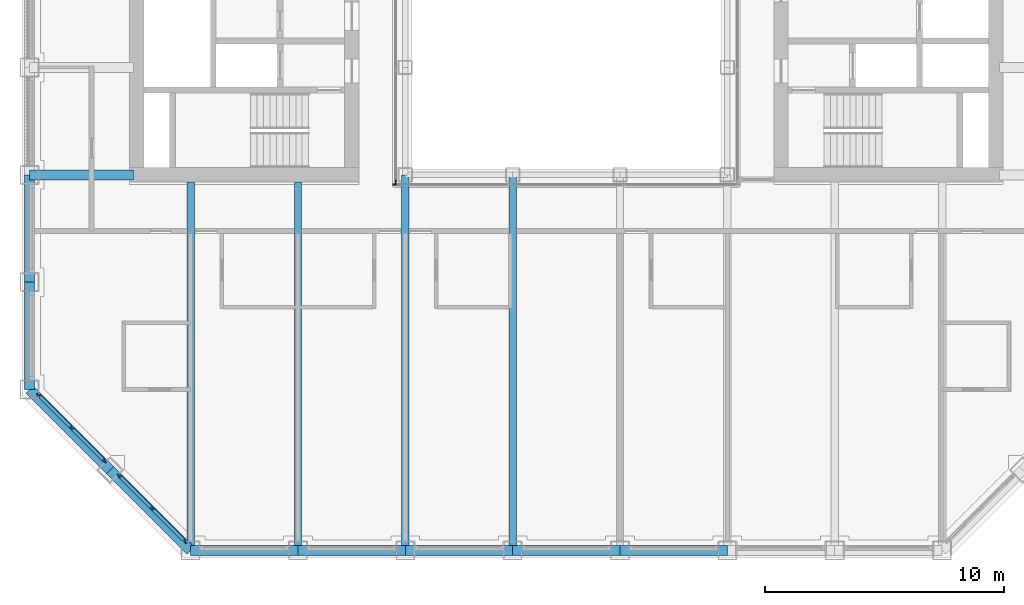
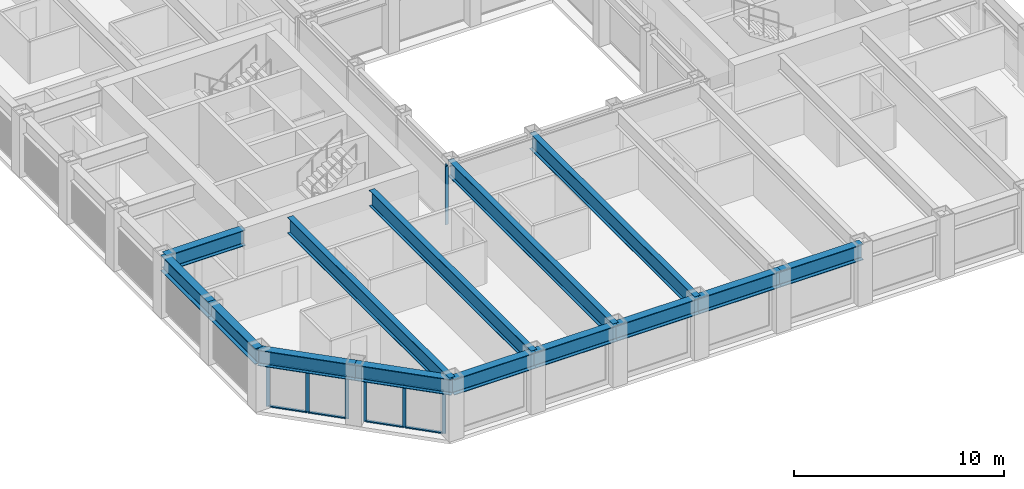
# One storey, part 2 of 17: 16 members, 14 beams, 4 elements without a shape of their own.
"""IFC4 building model written with IfcOpenShell, lengths in metres."""

from ifc_helpers import new_model, si_unit, direction, frame, origin, origin_2d, place, context, subcontext, project, spatial, rectangle, i_section, extrude, material, material_profile, profile_set, type_object, element, aggregate, save


model = new_model("IFC4")

# Units and contexts
model_context = context("Model", 3, precision=1e-05, world=origin(), true_north=direction((0.0, 1.0)))
body_context = subcontext(model_context, "Body", "Model", "MODEL_VIEW")
ifc_project = project(units=[si_unit("LENGTHUNIT", "METRE"), si_unit("AREAUNIT", "SQUARE_METRE"), si_unit("VOLUMEUNIT", "CUBIC_METRE"), si_unit("PLANEANGLEUNIT", "RADIAN"), si_unit("MASSUNIT", "GRAM", prefix="KILO")], contexts=[model_context])

# Site, building, storey
site_placement = place(None, origin())
site = spatial("IfcSite", under=ifc_project, at=site_placement, CompositionType="ELEMENT")
building_placement = place(site_placement, origin())
building = spatial("IfcBuilding", under=site, at=building_placement, Name="Msasa Ring Tower", CompositionType="ELEMENT")
storey_placement = place(building_placement, frame((0.0, 0.0, 140.0)))
storey = spatial("IfcBuildingStorey", under=building, at=storey_placement, Name="L36", CompositionType="ELEMENT", Elevation=140.0)

# Curtain wall, members
ifc_material_1 = material(Name="Aluminium curtain wall with clear glass", Category="aluminium")
curtain_wall_type_1 = type_object("IfcCurtainWallType", Name="CW-C CHAMFER CORNER CURTAIN WALL", PredefinedType="NOTDEFINED", material=ifc_material_1)
curtain_wall_1_placement = place(storey_placement, origin())
curtain_wall_1 = element("IfcCurtainWall", 1, at=curtain_wall_1_placement, inside=storey, type_object=curtain_wall_type_1, Name="Chamfer corner curtain wall SW L36", PredefinedType="NOTDEFINED")
ifc_material_2 = material(Name="Aluminium mullion", Category="aluminium")
ifc_material_profile_1 = material_profile(ifc_material_2, rectangle(XDim=0.06494140625, YDim=0.179931640625, at=origin_2d()), Name="AL 65x180")
ifc_profile_set_1 = profile_set([ifc_material_profile_1], Name="Aluminium mullion")
member_type_1 = type_object("IfcMemberType", Name="CW-C MULLION 65x180", PredefinedType="MULLION", material=ifc_profile_set_1)
member_1_placement = place(storey_placement, frame((-22.119873046875, -15.98876953125, 0.0), z_axis=(0.0, 0.0, 1.0), x_axis=(0.707106781187, 0.707106781187, 0.0)))
member_1 = element("IfcMember", 2, at=member_1_placement, type_object=member_type_1, Name="CW-C mullion 1", PredefinedType="MULLION", context=body_context, shape_type="SweptSolid", body=[
    extrude(rectangle(XDim=0.06494140625, YDim=0.179931640625, at=origin_2d()), origin(), (0.0, 0.0, 1.0), 2.47900390625),
])
member_2_placement = place(storey_placement, frame((-20.74169921875, -17.36669921875, 0.0), z_axis=(0.0, 0.0, 1.0), x_axis=(0.707106781187, 0.707106781187, 0.0)))
member_2 = element("IfcMember", 3, at=member_2_placement, type_object=member_type_1, Name="CW-C mullion 2", PredefinedType="MULLION", context=body_context, shape_type="SweptSolid", body=[
    extrude(rectangle(XDim=0.06494140625, YDim=0.179931640625, at=origin_2d()), origin(), (0.0, 0.0, 1.0), 2.47900390625),
])
member_3_placement = place(storey_placement, frame((-19.36376953125, -18.744873046875, 0.0), z_axis=(0.0, 0.0, 1.0), x_axis=(0.707106781187, 0.707106781187, 0.0)))
member_3 = element("IfcMember", 4, at=member_3_placement, type_object=member_type_1, Name="CW-C mullion 3", PredefinedType="MULLION", context=body_context, shape_type="SweptSolid", body=[
    extrude(rectangle(XDim=0.06494140625, YDim=0.179931640625, at=origin_2d()), origin(), (0.0, 0.0, 1.0), 2.47900390625),
])

curtain_wall_2_placement = place(storey_placement, origin())
curtain_wall_2 = element("IfcCurtainWall", 5, at=curtain_wall_2_placement, inside=storey, type_object=curtain_wall_type_1, Name="Chamfer corner curtain wall SW L36", PredefinedType="NOTDEFINED")
member_4_placement = place(storey_placement, frame((-18.744873046875, -19.36376953125, 0.0), z_axis=(0.0, 0.0, 1.0), x_axis=(0.707106781187, 0.707106781187, 0.0)))
member_4 = element("IfcMember", 6, at=member_4_placement, type_object=member_type_1, Name="CW-C mullion 1", PredefinedType="MULLION", context=body_context, shape_type="SweptSolid", body=[
    extrude(rectangle(XDim=0.06494140625, YDim=0.179931640625, at=origin_2d()), origin(), (0.0, 0.0, 1.0), 2.47900390625),
])
member_5_placement = place(storey_placement, frame((-17.36669921875, -20.74169921875, 0.0), z_axis=(0.0, 0.0, 1.0), x_axis=(0.707106781187, 0.707106781187, 0.0)))
member_5 = element("IfcMember", 7, at=member_5_placement, type_object=member_type_1, Name="CW-C mullion 2", PredefinedType="MULLION", context=body_context, shape_type="SweptSolid", body=[
    extrude(rectangle(XDim=0.06494140625, YDim=0.179931640625, at=origin_2d()), origin(), (0.0, 0.0, 1.0), 2.47900390625),
])
member_6_placement = place(storey_placement, frame((-15.98876953125, -22.119873046875, 0.0), z_axis=(0.0, 0.0, 1.0), x_axis=(0.707106781187, 0.707106781187, 0.0)))
member_6 = element("IfcMember", 8, at=member_6_placement, type_object=member_type_1, Name="CW-C mullion 3", PredefinedType="MULLION", context=body_context, shape_type="SweptSolid", body=[
    extrude(rectangle(XDim=0.06494140625, YDim=0.179931640625, at=origin_2d()), origin(), (0.0, 0.0, 1.0), 2.47900390625),
])

# Member
ifc_material_3 = material(Name="Aluminium transom", Category="aluminium")
ifc_material_profile_2 = material_profile(ifc_material_3, rectangle(XDim=0.139892578125, YDim=0.06494140625, at=origin_2d()), Name="AL 65x140")
ifc_profile_set_2 = profile_set([ifc_material_profile_2], Name="Aluminium transom")
member_type_2 = type_object("IfcMemberType", Name="CW-C TRANSOM 65x140", PredefinedType="USERDEFINED", material=ifc_profile_set_2)
member_7_placement = place(storey_placement, frame((-22.096923828125, -16.01171875, 0.032470703125), z_axis=(0.707106781187, -0.707106781187, 0.0), x_axis=(0.707106781187, 0.707106781187, 0.0)))
member_7 = element("IfcMember", 9, at=member_7_placement, type_object=member_type_2, Name="CW-C transom 1.1", ObjectType="TRANSOM", PredefinedType="USERDEFINED", context=body_context, shape_type="SweptSolid", body=[
    extrude(rectangle(XDim=0.139892578125, YDim=0.06494140625, at=origin_2d()), origin(), (0.0, 0.0, 1.0), 1.8837890625),
])

member_8_placement = place(storey_placement, frame((-22.096923828125, -16.01171875, 2.446533203125), z_axis=(0.707106781187, -0.707106781187, 0.0), x_axis=(0.707106781187, 0.707106781187, 0.0)))
member_8 = element("IfcMember", 10, at=member_8_placement, type_object=member_type_2, Name="CW-C transom 1.2", ObjectType="TRANSOM", PredefinedType="USERDEFINED", context=body_context, shape_type="SweptSolid", body=[
    extrude(rectangle(XDim=0.139892578125, YDim=0.06494140625, at=origin_2d()), origin(), (0.0, 0.0, 1.0), 1.8837890625),
])

member_9_placement = place(storey_placement, frame((-20.71875, -17.389892578125, 0.032470703125), z_axis=(0.707106781187, -0.707106781187, 0.0), x_axis=(0.707106781187, 0.707106781187, 0.0)))
member_9 = element("IfcMember", 11, at=member_9_placement, type_object=member_type_2, Name="CW-C transom 2.1", ObjectType="TRANSOM", PredefinedType="USERDEFINED", context=body_context, shape_type="SweptSolid", body=[
    extrude(rectangle(XDim=0.139892578125, YDim=0.06494140625, at=origin_2d()), origin(), (0.0, 0.0, 1.0), 1.8837890625),
])

member_10_placement = place(storey_placement, frame((-20.71875, -17.389892578125, 2.446533203125), z_axis=(0.707106781187, -0.707106781187, 0.0), x_axis=(0.707106781187, 0.707106781187, 0.0)))
member_10 = element("IfcMember", 12, at=member_10_placement, type_object=member_type_2, Name="CW-C transom 2.2", ObjectType="TRANSOM", PredefinedType="USERDEFINED", context=body_context, shape_type="SweptSolid", body=[
    extrude(rectangle(XDim=0.139892578125, YDim=0.06494140625, at=origin_2d()), origin(), (0.0, 0.0, 1.0), 1.8837890625),
])

aggregate(curtain_wall_1, [member_1, member_2, member_3, member_7, member_8, member_9, member_10])

member_11_placement = place(storey_placement, frame((-18.721923828125, -19.38671875, 0.032470703125), z_axis=(0.707106781187, -0.707106781187, 0.0), x_axis=(0.707106781187, 0.707106781187, 0.0)))
member_11 = element("IfcMember", 13, at=member_11_placement, type_object=member_type_2, Name="CW-C transom 1.1", ObjectType="TRANSOM", PredefinedType="USERDEFINED", context=body_context, shape_type="SweptSolid", body=[
    extrude(rectangle(XDim=0.139892578125, YDim=0.06494140625, at=origin_2d()), origin(), (0.0, 0.0, 1.0), 1.8837890625),
])

member_12_placement = place(storey_placement, frame((-18.721923828125, -19.38671875, 2.446533203125), z_axis=(0.707106781187, -0.707106781187, 0.0), x_axis=(0.707106781187, 0.707106781187, 0.0)))
member_12 = element("IfcMember", 14, at=member_12_placement, type_object=member_type_2, Name="CW-C transom 1.2", ObjectType="TRANSOM", PredefinedType="USERDEFINED", context=body_context, shape_type="SweptSolid", body=[
    extrude(rectangle(XDim=0.139892578125, YDim=0.06494140625, at=origin_2d()), origin(), (0.0, 0.0, 1.0), 1.8837890625),
])

member_13_placement = place(storey_placement, frame((-17.34375, -20.764892578125, 0.032470703125), z_axis=(0.707106781187, -0.707106781187, 0.0), x_axis=(0.707106781187, 0.707106781187, 0.0)))
member_13 = element("IfcMember", 15, at=member_13_placement, type_object=member_type_2, Name="CW-C transom 2.1", ObjectType="TRANSOM", PredefinedType="USERDEFINED", context=body_context, shape_type="SweptSolid", body=[
    extrude(rectangle(XDim=0.139892578125, YDim=0.06494140625, at=origin_2d()), origin(), (0.0, 0.0, 1.0), 1.8837890625),
])

member_14_placement = place(storey_placement, frame((-17.34375, -20.764892578125, 2.446533203125), z_axis=(0.707106781187, -0.707106781187, 0.0), x_axis=(0.707106781187, 0.707106781187, 0.0)))
member_14 = element("IfcMember", 16, at=member_14_placement, type_object=member_type_2, Name="CW-C transom 2.2", ObjectType="TRANSOM", PredefinedType="USERDEFINED", context=body_context, shape_type="SweptSolid", body=[
    extrude(rectangle(XDim=0.139892578125, YDim=0.06494140625, at=origin_2d()), origin(), (0.0, 0.0, 1.0), 1.8837890625),
])

aggregate(curtain_wall_2, [member_4, member_5, member_6, member_11, member_12, member_13, member_14])

# Curtain wall, member
ifc_material_4 = material(Name="Aluminium curtain wall with clear glass", Category="aluminium")
curtain_wall_type_2 = type_object("IfcCurtainWallType", Name="CW-W LIGHT WELL CURTAIN WALL", PredefinedType="NOTDEFINED", material=ifc_material_4)
curtain_wall_3_placement = place(storey_placement, origin())
curtain_wall_3 = element("IfcCurtainWall", 17, at=curtain_wall_3_placement, inside=storey, type_object=curtain_wall_type_2, Name="Light well curtain wall S L36", PredefinedType="NOTDEFINED")
ifc_material_5 = material(Name="Aluminium mullion", Category="aluminium")
ifc_material_profile_3 = material_profile(ifc_material_5, rectangle(XDim=0.06005859375, YDim=0.159912109375, at=origin_2d()), Name="AL 60x160")
ifc_profile_set_3 = profile_set([ifc_material_profile_3], Name="Aluminium mullion")
member_type_3 = type_object("IfcMemberType", Name="CW-W MULLION 60x160", PredefinedType="MULLION", material=ifc_profile_set_3)
member_15_placement = place(storey_placement, frame((-7.199951171875, -7.14990234375, 0.0), z_axis=(0.0, 0.0, 1.0), x_axis=(0.0, 1.0, 0.0)))
member_15 = element("IfcMember", 18, at=member_15_placement, type_object=member_type_3, Name="CW-W mullion 1", PredefinedType="MULLION", context=body_context, shape_type="SweptSolid", body=[
    extrude(rectangle(XDim=0.06005859375, YDim=0.159912109375, at=origin_2d()), origin(), (0.0, 0.0, 1.0), 3.39990234375),
])
aggregate(curtain_wall_3, [member_15])

curtain_wall_4_placement = place(storey_placement, origin())
curtain_wall_4 = element("IfcCurtainWall", 19, at=curtain_wall_4_placement, inside=storey, type_object=curtain_wall_type_2, Name="Light well curtain wall W L36", PredefinedType="NOTDEFINED")
member_16_placement = place(storey_placement, frame((-7.14990234375, -7.0400390625, 0.0), z_axis=(0.0, 0.0, 1.0), x_axis=(-1.0, 0.0, 0.0)))
member_16 = element("IfcMember", 20, at=member_16_placement, type_object=member_type_3, Name="CW-W mullion 1", PredefinedType="MULLION", context=body_context, shape_type="SweptSolid", body=[
    extrude(rectangle(XDim=0.06005859375, YDim=0.159912109375, at=origin_2d()), origin(), (0.0, 0.0, 1.0), 3.39990234375),
])
aggregate(curtain_wall_4, [member_16])

# Beams
ifc_material_6 = material(Name="Steel S355", Category="steel")
ifc_material_profile_4 = material_profile(ifc_material_6, i_section(OverallWidth=0.3076171875, OverallDepth=0.926513671875, WebThickness=0.01953125, FlangeThickness=0.031982421875, FilletRadius=0.01904296875, at=origin_2d()), Name="UB 914x305x289")
ifc_profile_set_4 = profile_set([ifc_material_profile_4], Name="Steel S355")
beam_type_1 = type_object("IfcBeamType", Name="FB3 UB 914x305x289", PredefinedType="BEAM", material=ifc_profile_set_4)
for number, where, z_axis, x_axis, name in (
    (21, (-15.75, -22.5, 2.936767578125), (0.0, 1.0, 0.0), (-1.0, 0.0, 0.0), "Floor beam S-15.75 under L37"),
    (22, (-11.25, -22.5, 2.936767578125), (0.0, 1.0, 0.0), (-1.0, 0.0, 0.0), "Floor beam S-11.25 under L37"),
):
    element("IfcBeam", number, at=place(storey_placement, frame(where, z_axis=z_axis, x_axis=x_axis)), inside=storey, type_object=beam_type_1, Name=name, PredefinedType="BEAM", context=body_context, shape_type="SweptSolid", body=[
        extrude(i_section(OverallWidth=0.3076171875, OverallDepth=0.926513671875, WebThickness=0.01953125, FlangeThickness=0.031982421875, FilletRadius=0.01904296875, at=origin_2d()), origin(), (0.0, 0.0, 1.0), 15.449951171875),
    ])
for number, where, z_axis, x_axis, name in (
    (23, (-6.75, -22.5, 2.936767578125), (0.0, 1.0, 0.0), (-1.0, 0.0, 0.0), "Floor beam S-6.75 under L37"),
    (24, (-2.25, -22.5, 2.936767578125), (0.0, 1.0, 0.0), (-1.0, 0.0, 0.0), "Floor beam S-2.25 under L37"),
):
    element("IfcBeam", number, at=place(storey_placement, frame(where, z_axis=z_axis, x_axis=x_axis)), inside=storey, type_object=beam_type_1, Name=name, PredefinedType="BEAM", context=body_context, shape_type="SweptSolid", body=[
        extrude(i_section(OverallWidth=0.3076171875, OverallDepth=0.926513671875, WebThickness=0.01953125, FlangeThickness=0.031982421875, FilletRadius=0.01904296875, at=origin_2d()), origin(), (0.0, 0.0, 1.0), 15.75),
    ])
ifc_material_7 = material(Name="Steel S355", Category="steel")
ifc_material_profile_5 = material_profile(ifc_material_7, i_section(OverallWidth=0.42041015625, OverallDepth=0.9208984375, WebThickness=0.021484375, FlangeThickness=0.03662109375, FilletRadius=0.024169921875, at=origin_2d()), Name="UB 914x419x388")
ifc_profile_set_5 = profile_set([ifc_material_profile_5], Name="Steel S355")
beam_type_2 = type_object("IfcBeamType", Name="GB1 UB 914x419x388", PredefinedType="BEAM", material=ifc_profile_set_5)
beam_placement = place(storey_placement, frame((-18.14990234375, -6.75, 2.939453125), z_axis=(-1.0, 0.0, 0.0), x_axis=(0.0, -1.0, 0.0)))
element("IfcBeam", 25, at=beam_placement, inside=storey, type_object=beam_type_2, Name="Girder W -6.75 under L37", PredefinedType="BEAM", context=body_context, shape_type="SweptSolid", body=[
    extrude(i_section(OverallWidth=0.42041015625, OverallDepth=0.9208984375, WebThickness=0.021484375, FlangeThickness=0.03662109375, FilletRadius=0.024169921875, at=origin_2d()), origin(), (0.0, 0.0, 1.0), 4.35009765625),
])
ifc_material_8 = material(Name="Steel S355", Category="steel")
ifc_material_profile_6 = material_profile(ifc_material_8, i_section(OverallWidth=0.42041015625, OverallDepth=0.9208984375, WebThickness=0.021484375, FlangeThickness=0.03662109375, FilletRadius=0.024169921875, at=origin_2d()), Name="UB 914x419x388")
ifc_profile_set_6 = profile_set([ifc_material_profile_6], Name="Steel S355")
beam_type_3 = type_object("IfcBeamType", Name="SB1 UB 914x419x388", PredefinedType="SPANDREL", material=ifc_profile_set_6)
for number, where, z_axis, x_axis, name in (
    (26, (-22.5, -6.75, 2.939453125), (0.0, -1.0, 0.0), (1.0, 0.0, 0.0), "Spandrel W-6.75 to W-11.25 under L37"),
    (27, (-22.5, -11.25, 2.939453125), (0.0, -1.0, 0.0), (1.0, 0.0, 0.0), "Spandrel W-11.25 to W-15.75 under L37"),
):
    element("IfcBeam", number, at=place(storey_placement, frame(where, z_axis=z_axis, x_axis=x_axis)), inside=storey, type_object=beam_type_3, Name=name, PredefinedType="SPANDREL", context=body_context, shape_type="SweptSolid", body=[
        extrude(i_section(OverallWidth=0.42041015625, OverallDepth=0.9208984375, WebThickness=0.021484375, FlangeThickness=0.03662109375, FilletRadius=0.024169921875, at=origin_2d()), origin(), (0.0, 0.0, 1.0), 4.5),
    ])
for number, where, z_axis, x_axis, name in (
    (28, (-22.5, -15.75, 2.939453125), (0.707106781187, -0.707106781187, 0.0), (0.707106781187, 0.707106781187, 0.0), "Spandrel W-15.75 to SW under L37"),
    (29, (-19.125, -19.125, 2.939453125), (0.707106781187, -0.707106781187, 0.0), (0.707106781187, 0.707106781187, 0.0), "Spandrel SW to S-15.75 under L37"),
):
    element("IfcBeam", number, at=place(storey_placement, frame(where, z_axis=z_axis, x_axis=x_axis)), inside=storey, type_object=beam_type_3, Name=name, PredefinedType="SPANDREL", context=body_context, shape_type="SweptSolid", body=[
        extrude(i_section(OverallWidth=0.42041015625, OverallDepth=0.9208984375, WebThickness=0.021484375, FlangeThickness=0.03662109375, FilletRadius=0.024169921875, at=origin_2d()), origin(), (0.0, 0.0, 1.0), 4.77294921875),
    ])
for number, where, z_axis, x_axis, name in (
    (30, (-15.75, -22.5, 2.939453125), (1.0, 0.0, 0.0), (0.0, 1.0, 0.0), "Spandrel S-15.75 to S-11.25 under L37"),
    (31, (-11.25, -22.5, 2.939453125), (1.0, 0.0, 0.0), (0.0, 1.0, 0.0), "Spandrel S-11.25 to S-6.75 under L37"),
    (32, (-6.75, -22.5, 2.939453125), (1.0, 0.0, 0.0), (0.0, 1.0, 0.0), "Spandrel S-6.75 to S-2.25 under L37"),
    (33, (-2.25, -22.5, 2.939453125), (1.0, 0.0, 0.0), (0.0, 1.0, 0.0), "Spandrel S-2.25 to S+2.25 under L37"),
    (34, (2.25, -22.5, 2.939453125), (1.0, 0.0, 0.0), (0.0, 1.0, 0.0), "Spandrel S+2.25 to S+6.75 under L37"),
):
    element("IfcBeam", number, at=place(storey_placement, frame(where, z_axis=z_axis, x_axis=x_axis)), inside=storey, type_object=beam_type_3, Name=name, PredefinedType="SPANDREL", context=body_context, shape_type="SweptSolid", body=[
        extrude(i_section(OverallWidth=0.42041015625, OverallDepth=0.9208984375, WebThickness=0.021484375, FlangeThickness=0.03662109375, FilletRadius=0.024169921875, at=origin_2d()), origin(), (0.0, 0.0, 1.0), 4.5),
    ])

save(model, "model.ifc")
